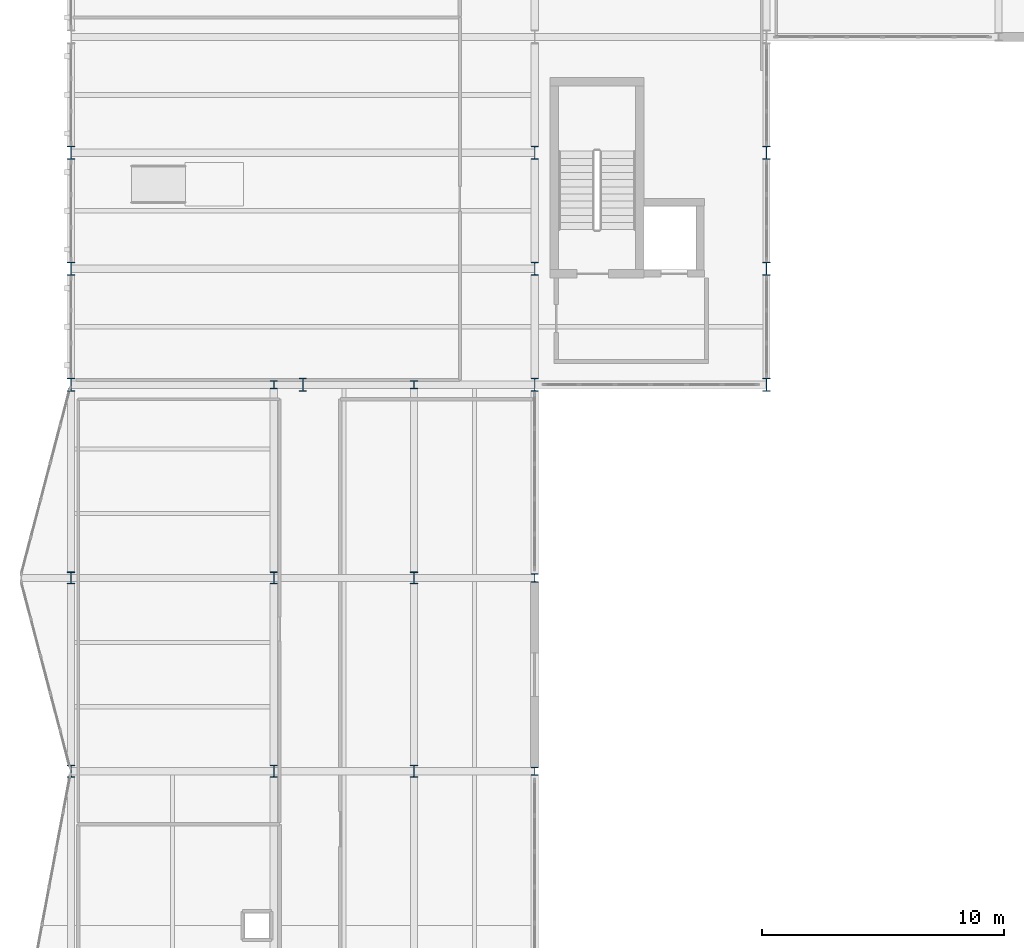
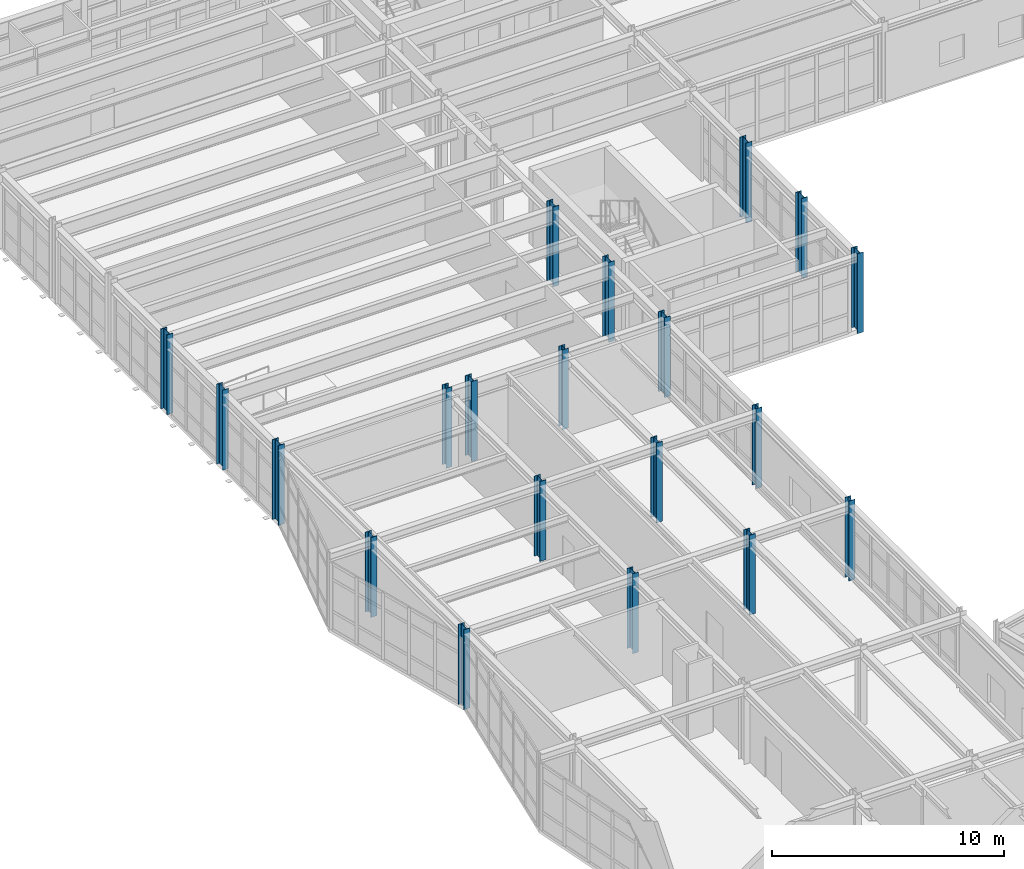
# One storey, part 4 of 76: 20 columns.
"""IFC4 building model written with IfcOpenShell, lengths in metres."""

from ifc_helpers import new_model, si_unit, direction, frame, origin, origin_2d, place, context, subcontext, project, spatial, i_section, extrude, material, material_profile, profile_set, type_object, element, save


model = new_model("IFC4")

# Units and contexts
model_context = context("Model", 3, precision=1e-05, world=origin(), true_north=direction((0.0, 1.0)))
body_context = subcontext(model_context, "Body", "Model", "MODEL_VIEW")
ifc_project = project(units=[si_unit("LENGTHUNIT", "METRE"), si_unit("AREAUNIT", "SQUARE_METRE"), si_unit("VOLUMEUNIT", "CUBIC_METRE"), si_unit("PLANEANGLEUNIT", "RADIAN"), si_unit("MASSUNIT", "GRAM", prefix="KILO")], contexts=[model_context])

# Site, building, storey
site_placement = place(None, origin())
site = spatial("IfcSite", under=ifc_project, at=site_placement, CompositionType="ELEMENT")
building_placement = place(site_placement, origin())
building = spatial("IfcBuilding", under=site, at=building_placement, Name="Nordkorset Police Headquarters", CompositionType="ELEMENT")
storey_placement = place(building_placement, frame((0.0, 0.0, 13.64990234375)))
storey = spatial("IfcBuildingStorey", under=building, at=storey_placement, Name="L03", CompositionType="ELEMENT", Elevation=13.64990234375)

# Columns
ifc_material_1 = material(Name="Steel S355J2", Category="steel")
ifc_material_profile_1 = material_profile(ifc_material_1, i_section(OverallWidth=0.300048828125, OverallDepth=0.340087890625, WebThickness=0.011962890625, FlangeThickness=0.021484375, FilletRadius=0.027099609375, at=origin_2d()), Name="HEB 340")
ifc_profile_set_1 = profile_set([ifc_material_profile_1], Name="Steel S355J2")
column_type_1 = type_object("IfcColumnType", Name="Col_HEB_340", PredefinedType="COLUMN", material=ifc_profile_set_1)
for number, where, z_axis, x_axis, name in (
    (1, (19.199951171875, 67.199951171875, 0.0), (0.0, 0.0, 1.0), (1.0, 0.0, 0.0), "Structural Column V3_X3_4 L03"),
    (2, (19.199951171875, 75.199951171875, 0.0), (0.0, 0.0, 1.0), (1.0, 0.0, 0.0), "Structural Column V3_X3_5 L03"),
    (3, (8.39990234375, 83.199951171875, 0.0), (0.0, 0.0, 1.0), (1.0, 0.0, 0.0), "Structural Column V3_X1_6 L03"),
    (4, (14.199951171875, 83.199951171875, 0.0), (0.0, 0.0, 1.0), (1.0, 0.0, 0.0), "Structural Column V3_X2_6 L03"),
):
    element("IfcColumn", number, at=place(storey_placement, frame(where, z_axis=z_axis, x_axis=x_axis)), inside=storey, type_object=column_type_1, Name=name, PredefinedType="COLUMN", context=body_context, shape_type="SweptSolid", body=[
        extrude(i_section(OverallWidth=0.300048828125, OverallDepth=0.340087890625, WebThickness=0.011962890625, FlangeThickness=0.021484375, FilletRadius=0.027099609375, at=origin_2d()), origin(), (0.0, 0.0, 1.0), 4.2001953125),
    ])
ifc_material_2 = material(Name="Steel S355J2", Category="steel")
ifc_material_profile_2 = material_profile(ifc_material_2, i_section(OverallWidth=0.300048828125, OverallDepth=0.5, WebThickness=0.014404296875, FlangeThickness=0.028076171875, FilletRadius=0.027099609375, at=origin_2d()), Name="HEB 500")
ifc_profile_set_2 = profile_set([ifc_material_profile_2], Name="Steel S355J2")
column_type_2 = type_object("IfcColumnType", Name="Col_HEB_500", PredefinedType="COLUMN", material=ifc_profile_set_2)
for number, where, z_axis, x_axis, name in (
    (5, (0.0, 67.199951171875, 0.0), (0.0, 0.0, 1.0), (1.0, 0.0, 0.0), "Structural Column V3_X0_4 L03"),
    (6, (8.39990234375, 67.199951171875, 0.0), (0.0, 0.0, 1.0), (1.0, 0.0, 0.0), "Structural Column V3_X1_4 L03"),
    (7, (14.199951171875, 67.199951171875, 0.0), (0.0, 0.0, 1.0), (1.0, 0.0, 0.0), "Structural Column V3_X2_4 L03"),
    (8, (0.0, 75.199951171875, 0.0), (0.0, 0.0, 1.0), (1.0, 0.0, 0.0), "Structural Column V3_X0_5 L03"),
    (9, (8.39990234375, 75.199951171875, 0.0), (0.0, 0.0, 1.0), (1.0, 0.0, 0.0), "Structural Column V3_X1_5 L03"),
    (10, (14.199951171875, 75.199951171875, 0.0), (0.0, 0.0, 1.0), (1.0, 0.0, 0.0), "Structural Column V3_X2_5 L03"),
):
    element("IfcColumn", number, at=place(storey_placement, frame(where, z_axis=z_axis, x_axis=x_axis)), inside=storey, type_object=column_type_2, Name=name, PredefinedType="COLUMN", context=body_context, shape_type="SweptSolid", body=[
        extrude(i_section(OverallWidth=0.300048828125, OverallDepth=0.5, WebThickness=0.014404296875, FlangeThickness=0.028076171875, FilletRadius=0.027099609375, at=origin_2d()), origin(), (0.0, 0.0, 1.0), 4.2001953125),
    ])
ifc_material_3 = material(Name="Steel S355J2", Category="steel")
ifc_material_profile_3 = material_profile(ifc_material_3, i_section(OverallWidth=0.300048828125, OverallDepth=0.550048828125, WebThickness=0.014892578125, FlangeThickness=0.029052734375, FilletRadius=0.027099609375, at=origin_2d()), Name="HEB 550")
ifc_profile_set_3 = profile_set([ifc_material_profile_3], Name="Steel S355J2")
column_type_3 = type_object("IfcColumnType", Name="Col_HEB_550", PredefinedType="COLUMN", material=ifc_profile_set_3)
for number, where, z_axis, x_axis, name in (
    (11, (0.0, 83.199951171875, 0.0), (0.0, 0.0, 1.0), (1.0, 0.0, 0.0), "Structural Column V1_W_0 L03"),
    (12, (28.800048828125, 83.199951171875, 0.0), (0.0, 0.0, 1.0), (1.0, 0.0, 0.0), "Structural Column V1_E_0 L03"),
    (13, (0.0, 88.0, 0.0), (0.0, 0.0, 1.0), (1.0, 0.0, 0.0), "Structural Column V1_W_1 L03"),
    (14, (28.800048828125, 88.0, 0.0), (0.0, 0.0, 1.0), (1.0, 0.0, 0.0), "Structural Column V1_E_1 L03"),
    (15, (0.0, 92.800048828125, 0.0), (0.0, 0.0, 1.0), (1.0, 0.0, 0.0), "Structural Column V1_W_2 L03"),
    (16, (28.800048828125, 92.800048828125, 0.0), (0.0, 0.0, 1.0), (1.0, 0.0, 0.0), "Structural Column V1_E_2 L03"),
    (17, (9.60009765625, 83.199951171875, 0.0), (0.0, 0.0, 1.0), (1.0, 0.0, 0.0), "Structural Column V1_S_0 L03"),
    (18, (19.199951171875, 83.199951171875, 0.0), (0.0, 0.0, 1.0), (1.0, 0.0, 0.0), "Structural Column V1_S_1 L03"),
    (19, (19.199951171875, 88.0, 0.0), (0.0, 0.0, 1.0), (1.0, 0.0, 0.0), "Structural Column V1_CW_0 L03"),
    (20, (19.199951171875, 92.800048828125, 0.0), (0.0, 0.0, 1.0), (1.0, 0.0, 0.0), "Structural Column V1_CW_1 L03"),
):
    element("IfcColumn", number, at=place(storey_placement, frame(where, z_axis=z_axis, x_axis=x_axis)), inside=storey, type_object=column_type_3, Name=name, PredefinedType="COLUMN", context=body_context, shape_type="SweptSolid", body=[
        extrude(i_section(OverallWidth=0.300048828125, OverallDepth=0.550048828125, WebThickness=0.014892578125, FlangeThickness=0.029052734375, FilletRadius=0.027099609375, at=origin_2d()), origin(), (0.0, 0.0, 1.0), 4.2001953125),
    ])

save(model, "model.ifc")
